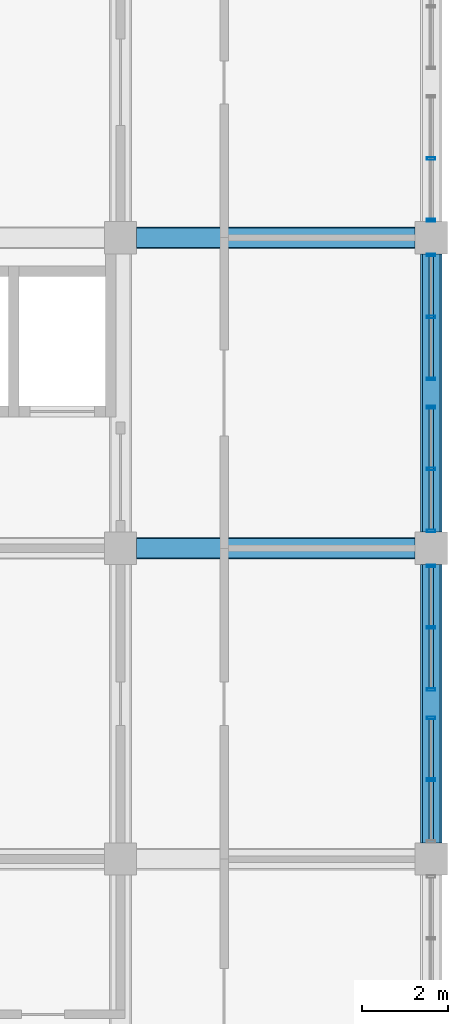
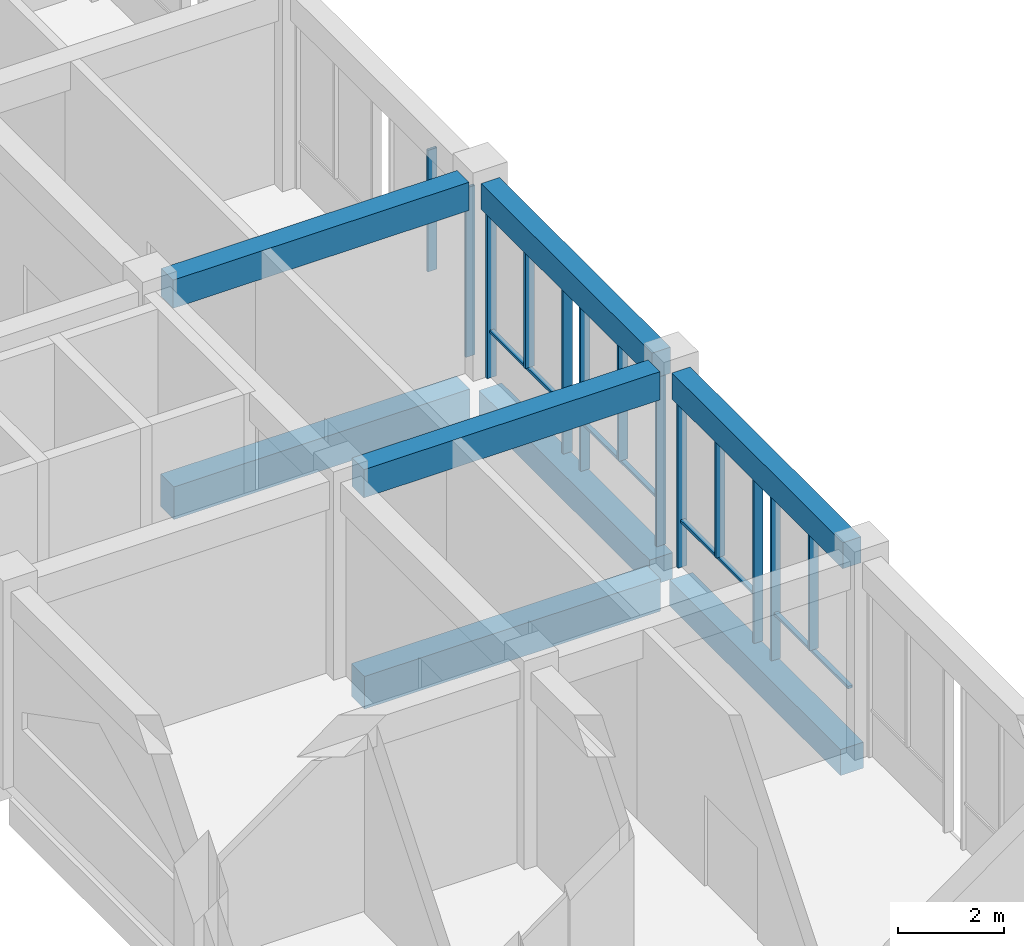
# One storey, part 18 of 39: 17 members, 8 beams, 5 elements without a shape of their own.
"""IFC4 building model written with IfcOpenShell, lengths in metres."""

from ifc_helpers import new_model, si_unit, direction, frame, origin, origin_2d, place, context, subcontext, project, spatial, rectangle, hollow_rectangle, extrude, material, material_profile, profile_set, type_object, element, aggregate, save


model = new_model("IFC4")

# Units and contexts
model_context = context("Model", 3, precision=1e-05, world=origin(), true_north=direction((0.0, 1.0)))
body_context = subcontext(model_context, "Body", "Model", "MODEL_VIEW")
ifc_project = project(units=[si_unit("LENGTHUNIT", "METRE"), si_unit("AREAUNIT", "SQUARE_METRE"), si_unit("VOLUMEUNIT", "CUBIC_METRE"), si_unit("PLANEANGLEUNIT", "RADIAN"), si_unit("MASSUNIT", "GRAM", prefix="KILO")], contexts=[model_context])

# Site, building, storey
site_placement = place(None, origin())
site = spatial("IfcSite", under=ifc_project, at=site_placement, CompositionType="ELEMENT")
building_placement = place(site_placement, origin())
building = spatial("IfcBuilding", under=site, at=building_placement, Name="Silangan Lancet Faculty of Sciences", CompositionType="ELEMENT")
storey_placement = place(building_placement, frame((0.0, 0.0, 26.39990234375)))
storey = spatial("IfcBuildingStorey", under=building, at=storey_placement, Name="L05", CompositionType="ELEMENT", Elevation=26.39990234375)

# Beams
ifc_material_1 = material(Name="Concrete C40/50", Category="concrete")
ifc_material_profile_1 = material_profile(ifc_material_1, rectangle(XDim=0.39990234375, YDim=0.60009765625, at=origin_2d()), Name="RC 400x600")
ifc_profile_set_1 = profile_set([ifc_material_profile_1], Name="Concrete C40/50")
beam_type_1 = type_object("IfcBeamType", Name="BEAM RC 400x600", PredefinedType="BEAM", material=ifc_profile_set_1)
beam_1_placement = place(storey_placement, frame((86.39990234375, 14.77490234375, 4.2001953125), z_axis=(0.0, 1.0, 0.0), x_axis=(-1.0, 0.0, 0.0)))
element("IfcBeam", 1, at=beam_1_placement, inside=storey, type_object=beam_type_1, Name="RB-L05-13C-13D", PredefinedType="BEAM", context=body_context, shape_type="SweptSolid", body=[
    extrude(rectangle(XDim=0.39990234375, YDim=0.60009765625, at=origin_2d()), origin(), (0.0, 0.0, 1.0), 6.4501953125),
])
beam_2_placement = place(storey_placement, frame((86.39990234375, 21.97509765625, 4.2001953125), z_axis=(0.0, 1.0, 0.0), x_axis=(-1.0, 0.0, 0.0)))
element("IfcBeam", 2, at=beam_2_placement, inside=storey, type_object=beam_type_1, Name="RB-L05-13D-13E", PredefinedType="BEAM", context=body_context, shape_type="SweptSolid", body=[
    extrude(rectangle(XDim=0.39990234375, YDim=0.60009765625, at=origin_2d()), origin(), (0.0, 0.0, 1.0), 6.449951171875),
])
ifc_material_2 = material(Name="Concrete C40/50", Category="concrete")
ifc_material_profile_2 = material_profile(ifc_material_2, rectangle(XDim=0.449951171875, YDim=0.64990234375, at=origin_2d()), Name="RC 450x650")
ifc_profile_set_2 = profile_set([ifc_material_profile_2], Name="Concrete C40/50")
beam_type_2 = type_object("IfcBeamType", Name="BEAM RC 450x650", PredefinedType="BEAM", material=ifc_profile_set_2)
for number, where, z_axis, x_axis, name in (
    (3, (79.574951171875, 21.60009765625, 4.175048828125), (1.0, 0.0, 0.0), (0.0, 1.0, 0.0), "RB-L05-12D-13D"),
    (4, (79.574951171875, 28.800048828125, 4.175048828125), (1.0, 0.0, 0.0), (0.0, 1.0, 0.0), "RB-L05-12E-13E"),
):
    element("IfcBeam", number, at=place(storey_placement, frame(where, z_axis=z_axis, x_axis=x_axis)), inside=storey, type_object=beam_type_2, Name=name, PredefinedType="BEAM", context=body_context, shape_type="SweptSolid", body=[
        extrude(rectangle(XDim=0.449951171875, YDim=0.64990234375, at=origin_2d()), origin(), (0.0, 0.0, 1.0), 6.449951171875),
    ])
ifc_material_3 = material(Name="Concrete C40/50", Category="concrete")
ifc_material_profile_3 = material_profile(ifc_material_3, rectangle(XDim=0.5, YDim=0.60009765625, at=origin_2d()), Name="RC 500x600")
ifc_profile_set_3 = profile_set([ifc_material_profile_3], Name="Concrete C40/50")
beam_type_3 = type_object("IfcBeamType", Name="BEAM RC 500x600", PredefinedType="BEAM", material=ifc_profile_set_3)
beam_3_placement = place(storey_placement, frame((86.39990234375, 14.77490234375, -0.5498046875), z_axis=(0.0, 1.0, 0.0), x_axis=(-1.0, 0.0, 0.0)))
element("IfcBeam", 5, at=beam_3_placement, inside=storey, type_object=beam_type_3, Name="BM-L05-13C-13D", PredefinedType="BEAM", context=body_context, shape_type="SweptSolid", body=[
    extrude(rectangle(XDim=0.5, YDim=0.60009765625, at=origin_2d()), origin(), (0.0, 0.0, 1.0), 6.4501953125),
])
beam_4_placement = place(storey_placement, frame((86.39990234375, 21.97509765625, -0.5498046875), z_axis=(0.0, 1.0, 0.0), x_axis=(-1.0, 0.0, 0.0)))
element("IfcBeam", 6, at=beam_4_placement, inside=storey, type_object=beam_type_3, Name="BM-L05-13D-13E", PredefinedType="BEAM", context=body_context, shape_type="SweptSolid", body=[
    extrude(rectangle(XDim=0.5, YDim=0.60009765625, at=origin_2d()), origin(), (0.0, 0.0, 1.0), 6.449951171875),
])
ifc_material_4 = material(Name="Concrete C40/50", Category="concrete")
ifc_material_profile_4 = material_profile(ifc_material_4, rectangle(XDim=0.5, YDim=0.75, at=origin_2d()), Name="RC 500x750")
ifc_profile_set_4 = profile_set([ifc_material_profile_4], Name="Concrete C40/50")
beam_type_4 = type_object("IfcBeamType", Name="BEAM RC 500x750", PredefinedType="BEAM", material=ifc_profile_set_4)
for number, where, z_axis, x_axis, name in (
    (7, (79.574951171875, 21.60009765625, -0.625), (1.0, 0.0, 0.0), (0.0, 1.0, 0.0), "BM-L05-12D-13D"),
    (8, (79.574951171875, 28.800048828125, -0.625), (1.0, 0.0, 0.0), (0.0, 1.0, 0.0), "BM-L05-12E-13E"),
):
    element("IfcBeam", number, at=place(storey_placement, frame(where, z_axis=z_axis, x_axis=x_axis)), inside=storey, type_object=beam_type_4, Name=name, PredefinedType="BEAM", context=body_context, shape_type="SweptSolid", body=[
        extrude(rectangle(XDim=0.5, YDim=0.75, at=origin_2d()), origin(), (0.0, 0.0, 1.0), 6.449951171875),
    ])

# Curtain wall, members
ifc_material_5 = material(Name="Aluminium framed curtain wall with insulated glass", Category="aluminium")
curtain_wall_type = type_object("IfcCurtainWallType", Name="CW1 Commons and east block glazing", PredefinedType="NOTDEFINED", material=ifc_material_5)
curtain_wall_1_placement = place(storey_placement, origin())
curtain_wall_1 = element("IfcCurtainWall", 9, at=curtain_wall_1_placement, inside=storey, type_object=curtain_wall_type, Name="CW1 East commons L05 bay 3", PredefinedType="NOTDEFINED")
ifc_material_6 = material(Name="Aluminium 6063-T6 extrusion", Category="aluminium")
ifc_material_profile_5 = material_profile(ifc_material_6, hollow_rectangle(XDim=0.06005859375, YDim=0.199951171875, WallThickness=0.00390625, at=origin_2d()), Name="AL BOX 60x200x4")
ifc_profile_set_5 = profile_set([ifc_material_profile_5], Name="Aluminium 6063-T6 extrusion")
member_type_1 = type_object("IfcMemberType", Name="CM1 Mullion 60x200", PredefinedType="MULLION", material=ifc_profile_set_5)
member_1_placement = place(storey_placement, frame((86.39990234375, 17.669921875, 0.0), z_axis=(0.0, 0.0, 1.0), x_axis=(0.0, 1.0, 0.0)))
member_1 = element("IfcMember", 10, at=member_1_placement, type_object=member_type_1, Name="CW1 East commons L05 bay 3 mullion 2", PredefinedType="MULLION", context=body_context, shape_type="SweptSolid", body=[
    extrude(hollow_rectangle(XDim=0.06005859375, YDim=0.199951171875, WallThickness=0.00390625, at=origin_2d()), origin(), (0.0, 0.0, 1.0), 3.900146484375),
])
member_2_placement = place(storey_placement, frame((86.39990234375, 16.237548828125, 1.10009765625), z_axis=(0.0, 0.0, 1.0), x_axis=(0.0, 1.0, 0.0)))
member_2 = element("IfcMember", 11, at=member_2_placement, type_object=member_type_1, Name="CW1 East commons L05 bay 3 mullion 3", PredefinedType="MULLION", context=body_context, shape_type="SweptSolid", body=[
    extrude(hollow_rectangle(XDim=0.06005859375, YDim=0.199951171875, WallThickness=0.00390625, at=origin_2d()), origin(), (0.0, 0.0, 1.0), 2.800048828125),
])

curtain_wall_2_placement = place(storey_placement, origin())
curtain_wall_2 = element("IfcCurtainWall", 12, at=curtain_wall_2_placement, inside=storey, type_object=curtain_wall_type, Name="CW1 East commons L05 bay 4", PredefinedType="NOTDEFINED")
member_3_placement = place(storey_placement, frame((86.39990234375, 18.330078125, 0.0), z_axis=(0.0, 0.0, 1.0), x_axis=(0.0, 1.0, 0.0)))
member_3 = element("IfcMember", 13, at=member_3_placement, type_object=member_type_1, Name="CW1 East commons L05 bay 4 mullion 1", PredefinedType="MULLION", context=body_context, shape_type="SweptSolid", body=[
    extrude(hollow_rectangle(XDim=0.06005859375, YDim=0.199951171875, WallThickness=0.00390625, at=origin_2d()), origin(), (0.0, 0.0, 1.0), 3.900146484375),
])
member_4_placement = place(storey_placement, frame((86.39990234375, 21.195068359375, 0.0), z_axis=(0.0, 0.0, 1.0), x_axis=(0.0, 1.0, 0.0)))
member_4 = element("IfcMember", 14, at=member_4_placement, type_object=member_type_1, Name="CW1 East commons L05 bay 4 mullion 2", PredefinedType="MULLION", context=body_context, shape_type="SweptSolid", body=[
    extrude(hollow_rectangle(XDim=0.06005859375, YDim=0.199951171875, WallThickness=0.00390625, at=origin_2d()), origin(), (0.0, 0.0, 1.0), 3.900146484375),
])
member_5_placement = place(storey_placement, frame((86.39990234375, 19.762451171875, 1.10009765625), z_axis=(0.0, 0.0, 1.0), x_axis=(0.0, 1.0, 0.0)))
member_5 = element("IfcMember", 15, at=member_5_placement, type_object=member_type_1, Name="CW1 East commons L05 bay 4 mullion 3", PredefinedType="MULLION", context=body_context, shape_type="SweptSolid", body=[
    extrude(hollow_rectangle(XDim=0.06005859375, YDim=0.199951171875, WallThickness=0.00390625, at=origin_2d()), origin(), (0.0, 0.0, 1.0), 2.800048828125),
])

curtain_wall_3_placement = place(storey_placement, origin())
curtain_wall_3 = element("IfcCurtainWall", 16, at=curtain_wall_3_placement, inside=storey, type_object=curtain_wall_type, Name="CW1 East commons L05 bay 5", PredefinedType="NOTDEFINED")
member_6_placement = place(storey_placement, frame((86.39990234375, 22.0048828125, 0.0), z_axis=(0.0, 0.0, 1.0), x_axis=(0.0, 1.0, 0.0)))
member_6 = element("IfcMember", 17, at=member_6_placement, type_object=member_type_1, Name="CW1 East commons L05 bay 5 mullion 1", PredefinedType="MULLION", context=body_context, shape_type="SweptSolid", body=[
    extrude(hollow_rectangle(XDim=0.06005859375, YDim=0.199951171875, WallThickness=0.00390625, at=origin_2d()), origin(), (0.0, 0.0, 1.0), 3.900146484375),
])
member_7_placement = place(storey_placement, frame((86.39990234375, 24.8701171875, 0.0), z_axis=(0.0, 0.0, 1.0), x_axis=(0.0, 1.0, 0.0)))
member_7 = element("IfcMember", 18, at=member_7_placement, type_object=member_type_1, Name="CW1 East commons L05 bay 5 mullion 2", PredefinedType="MULLION", context=body_context, shape_type="SweptSolid", body=[
    extrude(hollow_rectangle(XDim=0.06005859375, YDim=0.199951171875, WallThickness=0.00390625, at=origin_2d()), origin(), (0.0, 0.0, 1.0), 3.900146484375),
])
member_8_placement = place(storey_placement, frame((86.39990234375, 23.4375, 1.10009765625), z_axis=(0.0, 0.0, 1.0), x_axis=(0.0, 1.0, 0.0)))
member_8 = element("IfcMember", 19, at=member_8_placement, type_object=member_type_1, Name="CW1 East commons L05 bay 5 mullion 3", PredefinedType="MULLION", context=body_context, shape_type="SweptSolid", body=[
    extrude(hollow_rectangle(XDim=0.06005859375, YDim=0.199951171875, WallThickness=0.00390625, at=origin_2d()), origin(), (0.0, 0.0, 1.0), 2.800048828125),
])

curtain_wall_4_placement = place(storey_placement, origin())
curtain_wall_4 = element("IfcCurtainWall", 20, at=curtain_wall_4_placement, inside=storey, type_object=curtain_wall_type, Name="CW1 East commons L05 bay 6", PredefinedType="NOTDEFINED")
member_9_placement = place(storey_placement, frame((86.39990234375, 25.530029296875, 0.0), z_axis=(0.0, 0.0, 1.0), x_axis=(0.0, 1.0, 0.0)))
member_9 = element("IfcMember", 21, at=member_9_placement, type_object=member_type_1, Name="CW1 East commons L05 bay 6 mullion 1", PredefinedType="MULLION", context=body_context, shape_type="SweptSolid", body=[
    extrude(hollow_rectangle(XDim=0.06005859375, YDim=0.199951171875, WallThickness=0.00390625, at=origin_2d()), origin(), (0.0, 0.0, 1.0), 3.900146484375),
])
member_10_placement = place(storey_placement, frame((86.39990234375, 28.39501953125, 0.0), z_axis=(0.0, 0.0, 1.0), x_axis=(0.0, 1.0, 0.0)))
member_10 = element("IfcMember", 22, at=member_10_placement, type_object=member_type_1, Name="CW1 East commons L05 bay 6 mullion 2", PredefinedType="MULLION", context=body_context, shape_type="SweptSolid", body=[
    extrude(hollow_rectangle(XDim=0.06005859375, YDim=0.199951171875, WallThickness=0.00390625, at=origin_2d()), origin(), (0.0, 0.0, 1.0), 3.900146484375),
])
member_11_placement = place(storey_placement, frame((86.39990234375, 26.96240234375, 1.10009765625), z_axis=(0.0, 0.0, 1.0), x_axis=(0.0, 1.0, 0.0)))
member_11 = element("IfcMember", 23, at=member_11_placement, type_object=member_type_1, Name="CW1 East commons L05 bay 6 mullion 3", PredefinedType="MULLION", context=body_context, shape_type="SweptSolid", body=[
    extrude(hollow_rectangle(XDim=0.06005859375, YDim=0.199951171875, WallThickness=0.00390625, at=origin_2d()), origin(), (0.0, 0.0, 1.0), 2.800048828125),
])

curtain_wall_5_placement = place(storey_placement, origin())
curtain_wall_5 = element("IfcCurtainWall", 24, at=curtain_wall_5_placement, inside=storey, type_object=curtain_wall_type, Name="CW1 East commons L05 bay 7", PredefinedType="NOTDEFINED")
member_12_placement = place(storey_placement, frame((86.39990234375, 29.205078125, 0.0), z_axis=(0.0, 0.0, 1.0), x_axis=(0.0, 1.0, 0.0)))
member_12 = element("IfcMember", 25, at=member_12_placement, type_object=member_type_1, Name="CW1 East commons L05 bay 7 mullion 1", PredefinedType="MULLION", context=body_context, shape_type="SweptSolid", body=[
    extrude(hollow_rectangle(XDim=0.06005859375, YDim=0.199951171875, WallThickness=0.00390625, at=origin_2d()), origin(), (0.0, 0.0, 1.0), 3.900146484375),
])
member_13_placement = place(storey_placement, frame((86.39990234375, 30.637451171875, 1.10009765625), z_axis=(0.0, 0.0, 1.0), x_axis=(0.0, 1.0, 0.0)))
member_13 = element("IfcMember", 26, at=member_13_placement, type_object=member_type_1, Name="CW1 East commons L05 bay 7 mullion 3", PredefinedType="MULLION", context=body_context, shape_type="SweptSolid", body=[
    extrude(hollow_rectangle(XDim=0.06005859375, YDim=0.199951171875, WallThickness=0.00390625, at=origin_2d()), origin(), (0.0, 0.0, 1.0), 2.800048828125),
])
aggregate(curtain_wall_5, [member_12, member_13])

# Member
ifc_material_7 = material(Name="Aluminium 6063-T6 extrusion", Category="aluminium")
ifc_material_profile_6 = material_profile(ifc_material_7, hollow_rectangle(XDim=0.10009765625, YDim=0.06005859375, WallThickness=0.0029296875, at=origin_2d()), Name="AL BOX 100x60x3")
ifc_profile_set_6 = profile_set([ifc_material_profile_6], Name="Aluminium 6063-T6 extrusion")
member_type_2 = type_object("IfcMemberType", Name="CT1 Transom 100x60", PredefinedType="USERDEFINED", material=ifc_profile_set_6)
member_14_placement = place(storey_placement, frame((86.39990234375, 14.8349609375, 1.070068359375), z_axis=(0.0, 1.0, 0.0), x_axis=(-1.0, 0.0, 0.0)))
member_14 = element("IfcMember", 27, at=member_14_placement, type_object=member_type_2, Name="CW1 East commons L05 bay 3 transom 1", ObjectType="TRANSOM", PredefinedType="USERDEFINED", context=body_context, shape_type="SweptSolid", body=[
    extrude(hollow_rectangle(XDim=0.10009765625, YDim=0.06005859375, WallThickness=0.0029296875, at=origin_2d()), origin(), (0.0, 0.0, 1.0), 2.804931640625),
])

aggregate(curtain_wall_1, [member_1, member_2, member_14])

member_15_placement = place(storey_placement, frame((86.39990234375, 18.360107421875, 1.070068359375), z_axis=(0.0, 1.0, 0.0), x_axis=(-1.0, 0.0, 0.0)))
member_15 = element("IfcMember", 28, at=member_15_placement, type_object=member_type_2, Name="CW1 East commons L05 bay 4 transom 1", ObjectType="TRANSOM", PredefinedType="USERDEFINED", context=body_context, shape_type="SweptSolid", body=[
    extrude(hollow_rectangle(XDim=0.10009765625, YDim=0.06005859375, WallThickness=0.0029296875, at=origin_2d()), origin(), (0.0, 0.0, 1.0), 2.804931640625),
])

aggregate(curtain_wall_2, [member_3, member_4, member_5, member_15])

member_16_placement = place(storey_placement, frame((86.39990234375, 22.034912109375, 1.070068359375), z_axis=(0.0, 1.0, 0.0), x_axis=(-1.0, 0.0, 0.0)))
member_16 = element("IfcMember", 29, at=member_16_placement, type_object=member_type_2, Name="CW1 East commons L05 bay 5 transom 1", ObjectType="TRANSOM", PredefinedType="USERDEFINED", context=body_context, shape_type="SweptSolid", body=[
    extrude(hollow_rectangle(XDim=0.10009765625, YDim=0.06005859375, WallThickness=0.0029296875, at=origin_2d()), origin(), (0.0, 0.0, 1.0), 2.80517578125),
])

aggregate(curtain_wall_3, [member_6, member_7, member_8, member_16])

member_17_placement = place(storey_placement, frame((86.39990234375, 25.56005859375, 1.070068359375), z_axis=(0.0, 1.0, 0.0), x_axis=(-1.0, 0.0, 0.0)))
member_17 = element("IfcMember", 30, at=member_17_placement, type_object=member_type_2, Name="CW1 East commons L05 bay 6 transom 1", ObjectType="TRANSOM", PredefinedType="USERDEFINED", context=body_context, shape_type="SweptSolid", body=[
    extrude(hollow_rectangle(XDim=0.10009765625, YDim=0.06005859375, WallThickness=0.0029296875, at=origin_2d()), origin(), (0.0, 0.0, 1.0), 2.804931640625),
])

aggregate(curtain_wall_4, [member_9, member_10, member_11, member_17])

save(model, "model.ifc")
